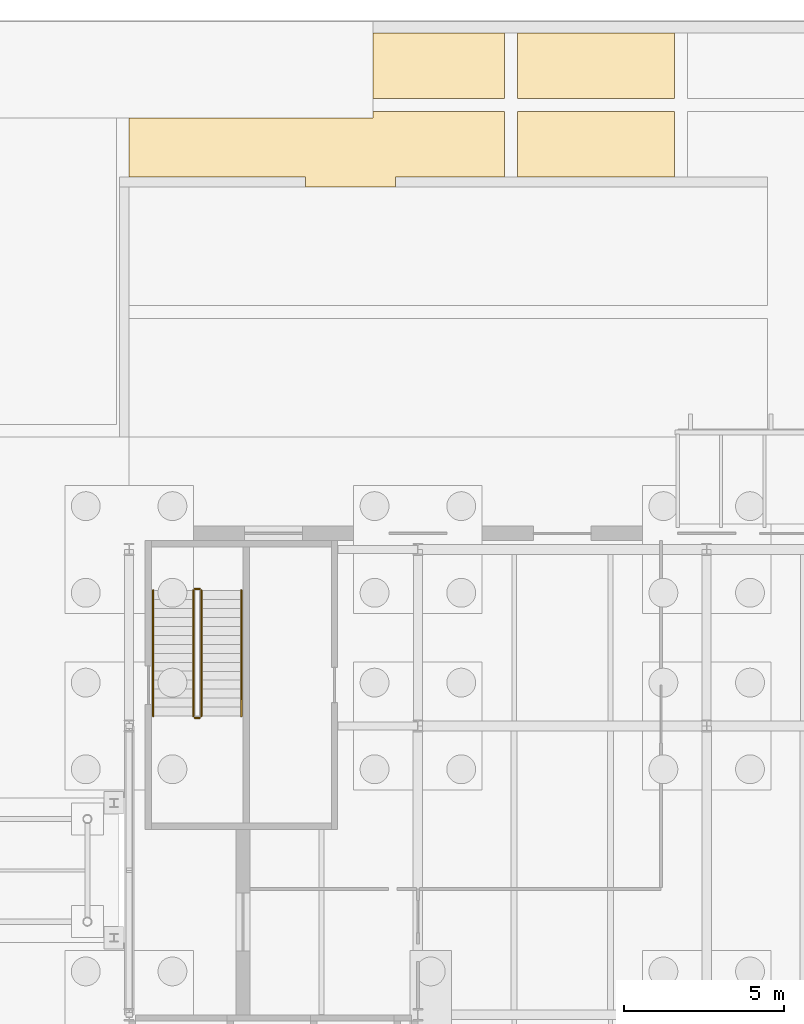
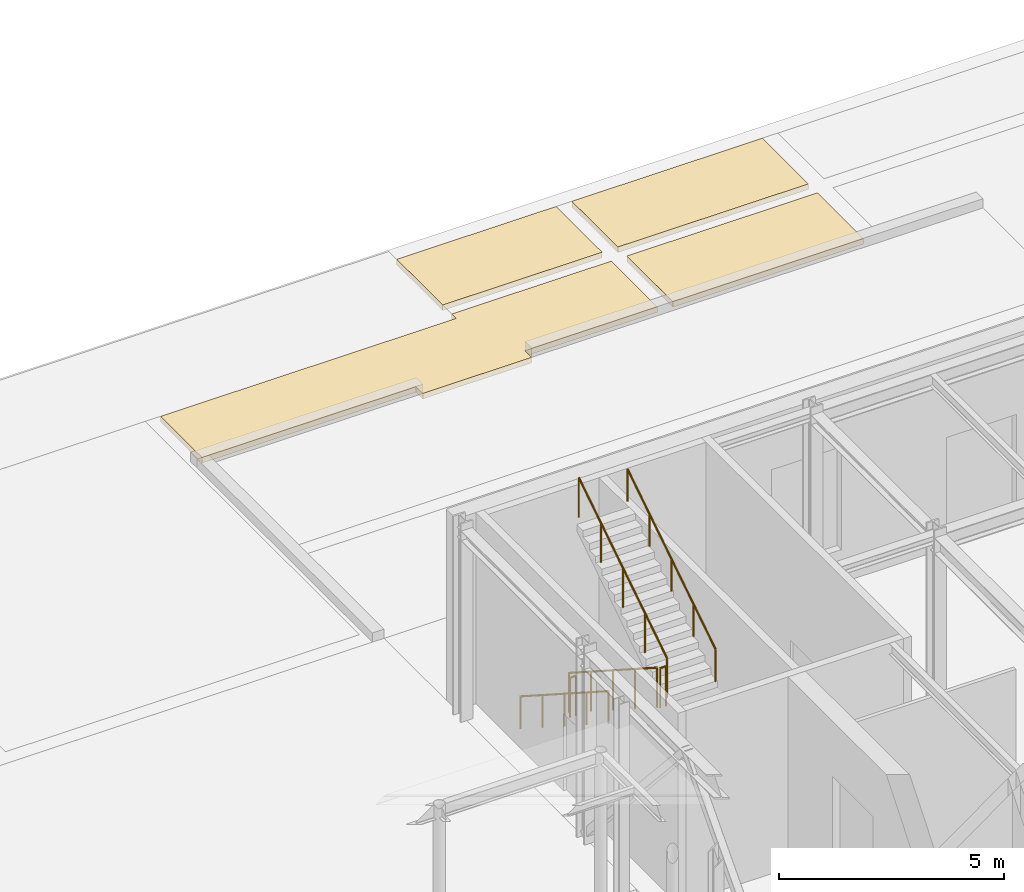
# One storey, part 114 of 126: 6 railings, 4 coverings.
"""IFC4 building model written with IfcOpenShell, lengths in metres."""

from ifc_helpers import new_model, si_unit, direction, frame, origin, origin_2d, place, context, subcontext, project, spatial, polyline, circle, outline, extrude, material, layer, layer_set, type_object, element, save


model = new_model("IFC4")

# Units and contexts
model_context = context("Model", 3, precision=1e-05, world=origin(), true_north=direction((0.0, 1.0)))
body_context = subcontext(model_context, "Body", "Model", "MODEL_VIEW")
ifc_project = project(units=[si_unit("LENGTHUNIT", "METRE"), si_unit("AREAUNIT", "SQUARE_METRE"), si_unit("VOLUMEUNIT", "CUBIC_METRE"), si_unit("PLANEANGLEUNIT", "RADIAN"), si_unit("MASSUNIT", "GRAM", prefix="KILO")], contexts=[model_context])

# Site, building, storey
site_placement = place(None, origin())
site = spatial("IfcSite", under=ifc_project, at=site_placement, CompositionType="ELEMENT")
building_placement = place(site_placement, origin())
building = spatial("IfcBuilding", under=site, at=building_placement, Name="Kallimachos Central Library", CompositionType="ELEMENT")
storey_placement = place(building_placement, origin())
storey = spatial("IfcBuildingStorey", under=building, at=storey_placement, Name="L00", CompositionType="ELEMENT", Elevation=0.0)

# Coverings
ifc_material_1 = material(Name="Granite paving", Category="masonry")
ifc_layer = layer(ifc_material_1, 0.14990234375)
ifc_layer_set = layer_set([ifc_layer], Name="Entrance square stone paving 150")
covering_type = type_object("IfcCoveringType", Name="Entrance square stone paving 150", PredefinedType="FLOORING", material=ifc_layer_set)
covering_1_placement = place(storey_placement, frame((0.0, 0.0, -0.14990234375)))
element("IfcCovering", 1, at=covering_1_placement, inside=storey, type_object=covering_type, Name="Entrance square stone paving G", PredefinedType="FLOORING", context=body_context, shape_type="SweptSolid", body=[
    extrude(outline(polyline([(77.60009765625, 124.14990234375), (82.5, 124.14990234375), (82.5, 122.10009765625), (77.60009765625, 122.10009765625), (77.60009765625, 124.14990234375)])), origin(), (0.0, 0.0, 1.0), 0.14990234375),
])
covering_2_placement = place(storey_placement, frame((0.0, 0.0, -0.14990234375)))
element("IfcCovering", 2, at=covering_2_placement, inside=storey, type_object=covering_type, Name="Entrance square stone paving H", PredefinedType="FLOORING", context=body_context, shape_type="SweptSolid", body=[
    extrude(outline(polyline([(82.5, 124.550048828125), (77.60009765625, 124.550048828125), (77.60009765625, 126.60009765625), (82.5, 126.60009765625), (82.5, 124.550048828125)])), origin(), (0.0, 0.0, 1.0), 0.14990234375),
])
covering_3_placement = place(storey_placement, frame((0.0, 0.0, -0.14990234375)))
element("IfcCovering", 3, at=covering_3_placement, inside=storey, type_object=covering_type, Name="Entrance square stone paving I", PredefinedType="FLOORING", context=body_context, shape_type="SweptSolid", body=[
    extrude(outline(polyline([(71.0, 122.10009765625), (65.5, 122.10009765625), (65.5, 123.949951171875), (73.10009765625, 123.949951171875), (73.10009765625, 124.14990234375), (77.199951171875, 124.14990234375), (77.199951171875, 122.10009765625), (73.800048828125, 122.10009765625), (73.800048828125, 121.800048828125), (71.0, 121.800048828125), (71.0, 122.10009765625)])), origin(), (0.0, 0.0, 1.0), 0.14990234375),
])
covering_4_placement = place(storey_placement, frame((0.0, 0.0, -0.14990234375)))
element("IfcCovering", 4, at=covering_4_placement, inside=storey, type_object=covering_type, Name="Entrance square stone paving J", PredefinedType="FLOORING", context=body_context, shape_type="SweptSolid", body=[
    extrude(outline(polyline([(77.199951171875, 126.60009765625), (77.199951171875, 124.550048828125), (73.10009765625, 124.550048828125), (73.10009765625, 126.60009765625), (77.199951171875, 126.60009765625)])), origin(), (0.0, 0.0, 1.0), 0.14990234375),
])

# Railings
ifc_material_2 = material(Name="Wrought iron")
railing_type_1 = type_object("IfcRailingType", Name="Wrought-iron handrail 900", PredefinedType="HANDRAIL", material=ifc_material_2)
railing_1_placement = place(storey_placement, frame((66.25, 109.22509765625, 0.179931640625)))
element("IfcRailing", 5, at=railing_1_placement, inside=storey, type_object=railing_type_1, Name="L00 ST3 stair handrail 1", PredefinedType="HANDRAIL", context=body_context, shape_type="SweptSolid", body=[
    extrude(circle(Radius=0.02392578125, at=origin_2d()), frame((0.0, 0.0, 0.8759765625), z_axis=(0.0, -0.841186985886, 0.540744352514), x_axis=(1.0, 0.0, 0.0)), (0.0, 0.0, 1.0), 4.660400390625),
    extrude(circle(Radius=0.02099609375, at=origin_2d()), origin(), (0.0, 0.0, 1.0), 0.851806640625),
    extrude(circle(Radius=0.02099609375, at=origin_2d()), frame((0.0, -0.97998046875, 0.6298828125)), (0.0, 0.0, 1.0), 0.851806640625),
    extrude(circle(Radius=0.02099609375, at=origin_2d()), frame((0.0, -1.9599609375, 1.260009765625)), (0.0, 0.0, 1.0), 0.851806640625),
    extrude(circle(Radius=0.02099609375, at=origin_2d()), frame((0.0, -2.940185546875, 1.89013671875)), (0.0, 0.0, 1.0), 0.851806640625),
    extrude(circle(Radius=0.02099609375, at=origin_2d()), frame((0.0, -3.920166015625, 2.52001953125)), (0.0, 0.0, 1.0), 0.851806640625),
])
railing_2_placement = place(storey_placement, frame((69.0, 105.304931640625, 2.8798828125)))
element("IfcRailing", 6, at=railing_2_placement, inside=storey, type_object=railing_type_1, Name="L00 ST3 stair handrail 2", PredefinedType="HANDRAIL", context=body_context, shape_type="SweptSolid", body=[
    extrude(circle(Radius=0.02392578125, at=origin_2d()), frame((0.0, 0.0, 0.8759765625), z_axis=(0.0, 0.841186985886, 0.540744352514), x_axis=(-1.0, 0.0, 0.0)), (0.0, 0.0, 1.0), 4.660400390625),
    extrude(circle(Radius=0.02099609375, at=origin_2d()), origin(), (0.0, 0.0, 1.0), 0.851806640625),
    extrude(circle(Radius=0.02099609375, at=origin_2d()), frame((0.0, 0.97998046875, 0.6298828125)), (0.0, 0.0, 1.0), 0.851806640625),
    extrude(circle(Radius=0.02099609375, at=origin_2d()), frame((0.0, 1.9599609375, 1.260009765625)), (0.0, 0.0, 1.0), 0.851806640625),
    extrude(circle(Radius=0.02099609375, at=origin_2d()), frame((0.0, 2.940185546875, 1.89013671875)), (0.0, 0.0, 1.0), 0.851806640625),
    extrude(circle(Radius=0.02099609375, at=origin_2d()), frame((0.0, 3.920166015625, 2.52001953125)), (0.0, 0.0, 1.0), 0.851806640625),
])
ifc_material_3 = material(Name="Wrought iron")
railing_type_2 = type_object("IfcRailingType", Name="Wrought-iron stair guard 1100", PredefinedType="GUARDRAIL", material=ifc_material_3)
railing_3_placement = place(storey_placement, frame((67.5, 109.22509765625, 0.179931640625)))
element("IfcRailing", 7, at=railing_3_placement, inside=storey, type_object=railing_type_2, Name="L00 ST3 stair guard 1", PredefinedType="GUARDRAIL", context=body_context, shape_type="SweptSolid", body=[
    extrude(circle(Radius=0.02392578125, at=origin_2d()), frame((0.0, 0.0, 1.076171875), z_axis=(0.0, -0.841186985886, 0.540744352514), x_axis=(1.0, 0.0, 0.0)), (0.0, 0.0, 1.0), 4.660400390625),
    extrude(circle(Radius=0.02099609375, at=origin_2d()), origin(), (0.0, 0.0, 1.0), 1.052001953125),
    extrude(circle(Radius=0.02099609375, at=origin_2d()), frame((0.0, -0.97998046875, 0.6298828125)), (0.0, 0.0, 1.0), 1.052001953125),
    extrude(circle(Radius=0.02099609375, at=origin_2d()), frame((0.0, -1.9599609375, 1.260009765625)), (0.0, 0.0, 1.0), 1.052001953125),
    extrude(circle(Radius=0.02099609375, at=origin_2d()), frame((0.0, -2.940185546875, 1.89013671875)), (0.0, 0.0, 1.0), 1.052001953125),
    extrude(circle(Radius=0.02099609375, at=origin_2d()), frame((0.0, -3.920166015625, 2.52001953125)), (0.0, 0.0, 1.0), 1.052001953125),
])
railing_4_placement = place(storey_placement, frame((67.550048828125, 105.2548828125, 2.699951171875)))
element("IfcRailing", 8, at=railing_4_placement, inside=storey, type_object=railing_type_2, Name="L00 ST3 stair guard 2", PredefinedType="GUARDRAIL", context=body_context, shape_type="SweptSolid", body=[
    extrude(circle(Radius=0.02392578125, at=origin_2d()), frame((0.0, 0.0, 1.076171875), z_axis=(1.0, 0.0, 0.0), x_axis=(0.0, 1.0, 0.0)), (0.0, 0.0, 1.0), 0.14990234375),
    extrude(circle(Radius=0.02099609375, at=origin_2d()), origin(), (0.0, 0.0, 1.0), 1.052001953125),
    extrude(circle(Radius=0.02099609375, at=origin_2d()), frame((0.14990234375, 0.0, 0.0)), (0.0, 0.0, 1.0), 1.052001953125),
])
railing_5_placement = place(storey_placement, frame((67.75, 105.304931640625, 2.8798828125)))
element("IfcRailing", 9, at=railing_5_placement, inside=storey, type_object=railing_type_2, Name="L00 ST3 stair guard 3", PredefinedType="GUARDRAIL", context=body_context, shape_type="SweptSolid", body=[
    extrude(circle(Radius=0.02392578125, at=origin_2d()), frame((0.0, 0.0, 1.076171875), z_axis=(0.0, 0.841186985886, 0.540744352514), x_axis=(-1.0, 0.0, 0.0)), (0.0, 0.0, 1.0), 4.660400390625),
    extrude(circle(Radius=0.02099609375, at=origin_2d()), origin(), (0.0, 0.0, 1.0), 1.052001953125),
    extrude(circle(Radius=0.02099609375, at=origin_2d()), frame((0.0, 0.97998046875, 0.6298828125)), (0.0, 0.0, 1.0), 1.052001953125),
    extrude(circle(Radius=0.02099609375, at=origin_2d()), frame((0.0, 1.9599609375, 1.260009765625)), (0.0, 0.0, 1.0), 1.052001953125),
    extrude(circle(Radius=0.02099609375, at=origin_2d()), frame((0.0, 2.940185546875, 1.89013671875)), (0.0, 0.0, 1.0), 1.052001953125),
    extrude(circle(Radius=0.02099609375, at=origin_2d()), frame((0.0, 3.920166015625, 2.52001953125)), (0.0, 0.0, 1.0), 1.052001953125),
])
railing_6_placement = place(storey_placement, frame((67.550048828125, 109.27490234375, 0.0)))
element("IfcRailing", 10, at=railing_6_placement, inside=storey, type_object=railing_type_2, Name="L00 ST3 stair guard 4", PredefinedType="GUARDRAIL", context=body_context, shape_type="SweptSolid", body=[
    extrude(circle(Radius=0.02392578125, at=origin_2d()), frame((0.0, 0.0, 1.076171875), z_axis=(1.0, 0.0, 0.0), x_axis=(0.0, 1.0, 0.0)), (0.0, 0.0, 1.0), 0.14990234375),
    extrude(circle(Radius=0.02099609375, at=origin_2d()), origin(), (0.0, 0.0, 1.0), 1.052001953125),
    extrude(circle(Radius=0.02099609375, at=origin_2d()), frame((0.14990234375, 0.0, 0.0)), (0.0, 0.0, 1.0), 1.052001953125),
])

save(model, "model.ifc")
